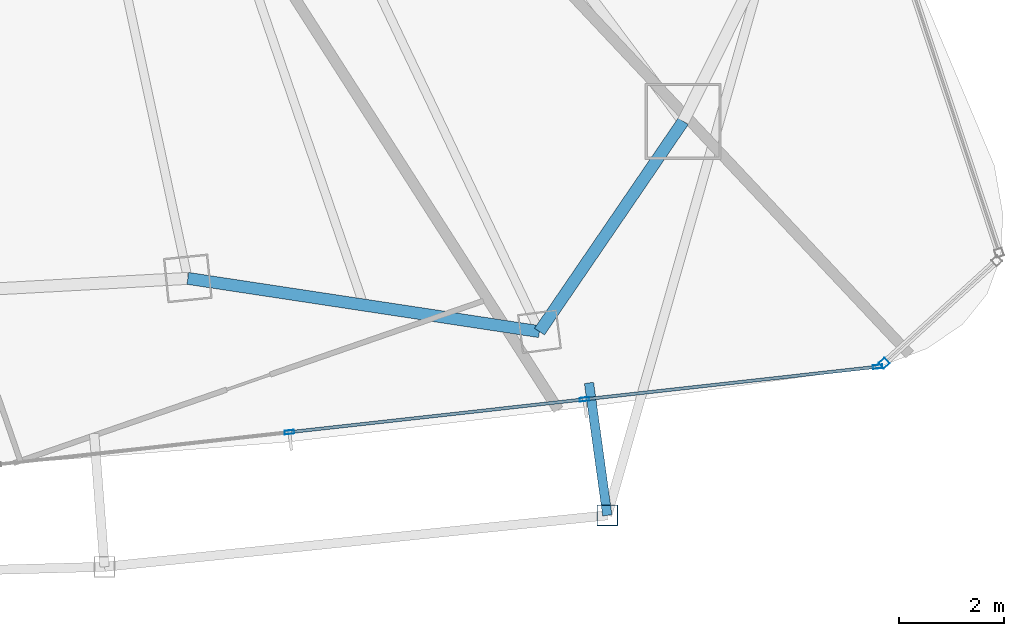
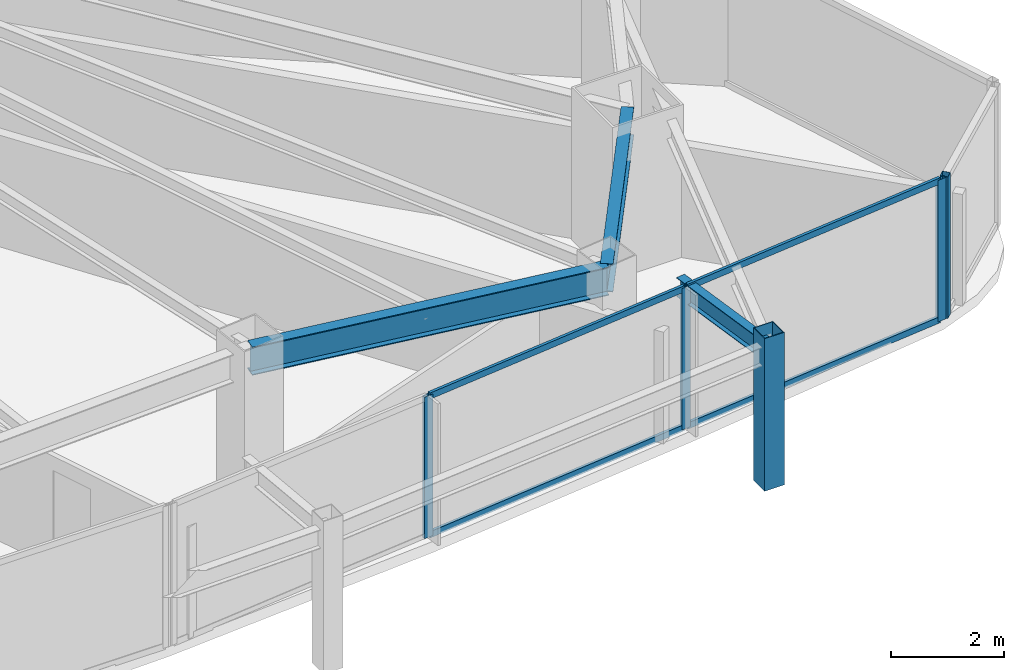
# One storey, part 12 of 29: 9 members, 3 beams, 2 elements without a shape of their own.
"""IFC4 building model written with IfcOpenShell, lengths in metres."""

from ifc_helpers import new_model, si_unit, direction, frame, origin, origin_2d, place, context, subcontext, project, spatial, hollow_rectangle, i_section, extrude, material, layer, layer_set, material_profile, profile_set, type_object, element, aggregate, save


model = new_model("IFC4")

# Units and contexts
model_context = context("Model", 3, precision=1e-05, world=origin(), true_north=direction((0.0, 1.0)))
body_context = subcontext(model_context, "Body", "Model", "MODEL_VIEW")
ifc_project = project(units=[si_unit("LENGTHUNIT", "METRE"), si_unit("AREAUNIT", "SQUARE_METRE"), si_unit("VOLUMEUNIT", "CUBIC_METRE"), si_unit("PLANEANGLEUNIT", "RADIAN"), si_unit("MASSUNIT", "GRAM", prefix="KILO")], contexts=[model_context])

# Site, building, storey
site_placement = place(None, origin())
site = spatial("IfcSite", under=ifc_project, at=site_placement, CompositionType="ELEMENT")
building_placement = place(site_placement, origin())
building = spatial("IfcBuilding", under=site, at=building_placement, Name="Orvanel Arch Residences", CompositionType="ELEMENT")
storey_placement = place(building_placement, frame((0.0, 0.0, 160.550048828125)))
storey = spatial("IfcBuildingStorey", under=building, at=storey_placement, Name="L45", CompositionType="ELEMENT", Elevation=160.550048828125)

# Curtain wall, member
ifc_material_1 = material(Name="Bronze-anodised aluminium AA6063-T6", Category="aluminium")
ifc_layer_1 = layer(ifc_material_1, 0.18994140625)
ifc_layer_set_1 = layer_set([ifc_layer_1], Name="Bronze-anodised aluminium AA6063-T6")
curtain_wall_type_1 = type_object("IfcCurtainWallType", Name="CW5-CRN-SYS", PredefinedType="NOTDEFINED", material=ifc_layer_set_1)
curtain_wall_1_placement = place(storey_placement, origin())
curtain_wall_1 = element("IfcCurtainWall", 1, at=curtain_wall_1_placement, inside=storey, type_object=curtain_wall_type_1, Name="L45 CW5-CRN-SYS Unitised Curtain Wall", PredefinedType="NOTDEFINED")
ifc_material_profile_1 = material_profile(ifc_material_1, hollow_rectangle(XDim=0.14990234375, YDim=0.14990234375, WallThickness=0.0048828125, at=origin_2d()), Name="ALU150x150x5")
ifc_profile_set_1 = profile_set([ifc_material_profile_1], Name="Bronze-anodised aluminium AA6063-T6")
member_type_1 = type_object("IfcMemberType", Name="MUL-150x150", PredefinedType="MULLION", material=ifc_profile_set_1)
member_1_placement = place(storey_placement, frame((55.635498046875, 5.739501953125, 0.0), z_axis=(0.0, 0.0, 1.0), x_axis=(-0.672395615727, 0.740191958853, 0.0)))
member_1 = element("IfcMember", 2, at=member_1_placement, type_object=member_type_1, Name="CW-S5 mullion 1", PredefinedType="MULLION", context=body_context, shape_type="SweptSolid", body=[
    extrude(hollow_rectangle(XDim=0.14990234375, YDim=0.14990234375, WallThickness=0.0048828125, at=origin_2d()), origin(), (0.0, 0.0, 1.0), 3.06005859375),
])
aggregate(curtain_wall_1, [member_1])

# Curtain wall, members
ifc_layer_2 = layer(ifc_material_1, 0.179931640625)
ifc_layer_set_2 = layer_set([ifc_layer_2], Name="Bronze-anodised aluminium AA6063-T6")
curtain_wall_type_2 = type_object("IfcCurtainWallType", Name="CW3-MID-SYS", PredefinedType="NOTDEFINED", material=ifc_layer_set_2)
curtain_wall_2_placement = place(storey_placement, origin())
curtain_wall_2 = element("IfcCurtainWall", 3, at=curtain_wall_2_placement, inside=storey, type_object=curtain_wall_type_2, Name="L45 CW3-MID-SYS Unitised Curtain Wall", PredefinedType="NOTDEFINED")
ifc_material_profile_2 = material_profile(ifc_material_1, hollow_rectangle(XDim=0.070068359375, YDim=0.179931640625, WallThickness=0.00439453125, at=origin_2d()), Name="ALU180x70x4.5")
ifc_profile_set_2 = profile_set([ifc_material_profile_2], Name="Bronze-anodised aluminium AA6063-T6")
member_type_2 = type_object("IfcMemberType", Name="MUL-180x70", PredefinedType="MULLION", material=ifc_profile_set_2)
member_2_placement = place(storey_placement, frame((44.2890625, 4.42138671875, 0.0), z_axis=(0.0, 0.0, 1.0), x_axis=(-0.11060596361, 0.993864337228, 0.0)))
member_2 = element("IfcMember", 4, at=member_2_placement, type_object=member_type_2, Name="CW-S3 mullion 2", PredefinedType="MULLION", context=body_context, shape_type="SweptSolid", body=[
    extrude(hollow_rectangle(XDim=0.070068359375, YDim=0.179931640625, WallThickness=0.00439453125, at=origin_2d()), origin(), (0.0, 0.0, 1.0), 3.06005859375),
])
member_3_placement = place(storey_placement, frame((49.9169921875, 5.047607421875, 0.0), z_axis=(0.0, 0.0, 1.0), x_axis=(-0.11060596361, 0.993864337228, 0.0)))
member_3 = element("IfcMember", 5, at=member_3_placement, type_object=member_type_2, Name="CW-S3 mullion 3", PredefinedType="MULLION", context=body_context, shape_type="SweptSolid", body=[
    extrude(hollow_rectangle(XDim=0.070068359375, YDim=0.179931640625, WallThickness=0.00439453125, at=origin_2d()), origin(), (0.0, 0.0, 1.0), 3.06005859375),
])
member_4_placement = place(storey_placement, frame((55.51025390625, 5.670166015625, 0.0), z_axis=(0.0, 0.0, 1.0), x_axis=(-0.11060596361, 0.993864337228, 0.0)))
member_4 = element("IfcMember", 6, at=member_4_placement, type_object=member_type_2, Name="CW-S3 mullion 4", PredefinedType="MULLION", context=body_context, shape_type="SweptSolid", body=[
    extrude(hollow_rectangle(XDim=0.070068359375, YDim=0.179931640625, WallThickness=0.00439453125, at=origin_2d()), origin(), (0.0, 0.0, 1.0), 3.06005859375),
])

# Beams
ifc_material_2 = material(Name="Structural steel AS/NZS 3679.1 Grade 300 (300 MPa)", Category="steel")
ifc_material_profile_3 = material_profile(ifc_material_2, i_section(OverallWidth=0.177978515625, OverallDepth=0.406005859375, WebThickness=0.0078125, FlangeThickness=0.0126953125, at=origin_2d()), Name="410UB59.7")
ifc_profile_set_3 = profile_set([ifc_material_profile_3], Name="Structural steel AS/NZS 3679.1 Grade 300 (300 MPa)")
beam_type_1 = type_object("IfcBeamType", Name="OB-410UB-EXT", PredefinedType="SPANDREL", material=ifc_profile_set_3)
beam_1_placement = place(storey_placement, frame((50.00390625, 5.361083984375, 2.85693359375), z_axis=(0.136903041164, -0.990584452392, 0.0), x_axis=(0.990584452392, 0.136903041164, 0.0)))
element("IfcBeam", 7, at=beam_1_placement, inside=storey, type_object=beam_type_1, Name="L45 Outer Frame Radial Tie Beam 08", PredefinedType="SPANDREL", context=body_context, shape_type="SweptSolid", body=[
    extrude(i_section(OverallWidth=0.177978515625, OverallDepth=0.406005859375, WebThickness=0.0078125, FlangeThickness=0.0126953125, at=origin_2d()), origin(), (0.0, 0.0, 1.0), 2.550048828125),
])
ifc_material_profile_4 = material_profile(ifc_material_2, i_section(OverallWidth=0.22900390625, OverallDepth=0.612060546875, WebThickness=0.011962890625, FlangeThickness=0.01953125, at=origin_2d()), Name="610UB125")
ifc_profile_set_4 = profile_set([ifc_material_profile_4], Name="Structural steel AS/NZS 3679.1 Grade 300 (300 MPa)")
beam_type_2 = type_object("IfcBeamType", Name="SP-610UB", PredefinedType="SPANDREL", material=ifc_profile_set_4)
beam_2_placement = place(storey_placement, frame((42.35107421875, 7.35498046875, 2.75390625), z_axis=(0.988726323014, -0.149733958002, 0.0), x_axis=(0.149733958002, 0.988726323014, 0.0)))
element("IfcBeam", 8, at=beam_2_placement, inside=storey, type_object=beam_type_2, Name="L45 Perimeter Spandrel Beam 07", PredefinedType="SPANDREL", context=body_context, shape_type="SweptSolid", body=[
    extrude(i_section(OverallWidth=0.22900390625, OverallDepth=0.612060546875, WebThickness=0.011962890625, FlangeThickness=0.01953125, at=origin_2d()), origin(), (0.0, 0.0, 1.0), 6.784423828125),
])
beam_3_placement = place(storey_placement, frame((49.05908203125, 6.339111328125, 2.75390625), z_axis=(0.564251579852, 0.825602903722, 0.0), x_axis=(-0.825602903722, 0.564251579852, 0.0)))
element("IfcBeam", 9, at=beam_3_placement, inside=storey, type_object=beam_type_2, Name="L45 Perimeter Spandrel Beam 08", PredefinedType="SPANDREL", context=body_context, shape_type="SweptSolid", body=[
    extrude(i_section(OverallWidth=0.22900390625, OverallDepth=0.612060546875, WebThickness=0.011962890625, FlangeThickness=0.01953125, at=origin_2d()), origin(), (0.0, 0.0, 1.0), 4.859375),
])

# Member
ifc_material_3 = material(Name="Structural steel AS/NZS 1163 C450L0 (Grade 450)", Category="steel")
ifc_material_profile_5 = material_profile(ifc_material_3, hollow_rectangle(XDim=0.39990234375, YDim=0.39990234375, WallThickness=0.01611328125, at=origin_2d()), Name="SHS400x400x16")
ifc_profile_set_5 = profile_set([ifc_material_profile_5], Name="Structural steel AS/NZS 1163 C450L0 (Grade 450)")
member_type_3 = type_object("IfcMemberType", Name="ST-400SHS-EXT", PredefinedType="STRUT", material=ifc_profile_set_5)
member_5_placement = place(storey_placement, frame((50.35302734375, 2.8349609375, 0.0), z_axis=(0.0, 0.0, 1.0), x_axis=(1.0, 0.0, 0.0)))
element("IfcMember", 10, at=member_5_placement, inside=storey, type_object=member_type_3, Name="L45 Outer Perimeter Frame Post 08", PredefinedType="STRUT", context=body_context, shape_type="SweptSolid", body=[
    extrude(hollow_rectangle(XDim=0.39990234375, YDim=0.39990234375, WallThickness=0.01611328125, at=origin_2d()), origin(), (0.0, 0.0, 1.0), 3.300048828125),
])

ifc_material_profile_6 = material_profile(ifc_material_1, hollow_rectangle(XDim=0.06005859375, YDim=0.135009765625, WallThickness=0.00390625, at=origin_2d()), Name="ALU135x60x4")
ifc_profile_set_6 = profile_set([ifc_material_profile_6], Name="Bronze-anodised aluminium AA6063-T6")
member_type_4 = type_object("IfcMemberType", Name="TRN-135x60", PredefinedType="USERDEFINED", material=ifc_profile_set_6)
member_6_placement = place(storey_placement, frame((44.32373046875, 4.42529296875, 0.030029296875), z_axis=(0.993868287066, 0.110570466055, 0.0), x_axis=(-0.110570466055, 0.993868287066, 0.0)))
member_6 = element("IfcMember", 11, at=member_6_placement, type_object=member_type_4, Name="CW-S3 transom 2.1", ObjectType="TRANSOM", PredefinedType="USERDEFINED", context=body_context, shape_type="SweptSolid", body=[
    extrude(hollow_rectangle(XDim=0.06005859375, YDim=0.135009765625, WallThickness=0.00390625, at=origin_2d()), origin(), (0.0, 0.0, 1.0), 5.5927734375),
])

member_7_placement = place(storey_placement, frame((44.32373046875, 4.42529296875, 3.030029296875), z_axis=(0.993868287066, 0.110570466055, 0.0), x_axis=(-0.110570466055, 0.993868287066, 0.0)))
member_7 = element("IfcMember", 12, at=member_7_placement, type_object=member_type_4, Name="CW-S3 transom 2.2", ObjectType="TRANSOM", PredefinedType="USERDEFINED", context=body_context, shape_type="SweptSolid", body=[
    extrude(hollow_rectangle(XDim=0.06005859375, YDim=0.135009765625, WallThickness=0.00390625, at=origin_2d()), origin(), (0.0, 0.0, 1.0), 5.5927734375),
])

member_8_placement = place(storey_placement, frame((49.951904296875, 5.051513671875, 0.030029296875), z_axis=(0.993863360164, 0.110614742791, 0.0), x_axis=(-0.110614742791, 0.993863360164, 0.0)))
member_8 = element("IfcMember", 13, at=member_8_placement, type_object=member_type_4, Name="CW-S3 transom 3.1", ObjectType="TRANSOM", PredefinedType="USERDEFINED", context=body_context, shape_type="SweptSolid", body=[
    extrude(hollow_rectangle(XDim=0.06005859375, YDim=0.135009765625, WallThickness=0.00390625, at=origin_2d()), origin(), (0.0, 0.0, 1.0), 5.5576171875),
])

member_9_placement = place(storey_placement, frame((49.951904296875, 5.051513671875, 3.030029296875), z_axis=(0.993863360164, 0.110614742791, 0.0), x_axis=(-0.110614742791, 0.993863360164, 0.0)))
member_9 = element("IfcMember", 14, at=member_9_placement, type_object=member_type_4, Name="CW-S3 transom 3.2", ObjectType="TRANSOM", PredefinedType="USERDEFINED", context=body_context, shape_type="SweptSolid", body=[
    extrude(hollow_rectangle(XDim=0.06005859375, YDim=0.135009765625, WallThickness=0.00390625, at=origin_2d()), origin(), (0.0, 0.0, 1.0), 5.5576171875),
])

aggregate(curtain_wall_2, [member_2, member_3, member_4, member_6, member_7, member_8, member_9])

save(model, "model.ifc")
